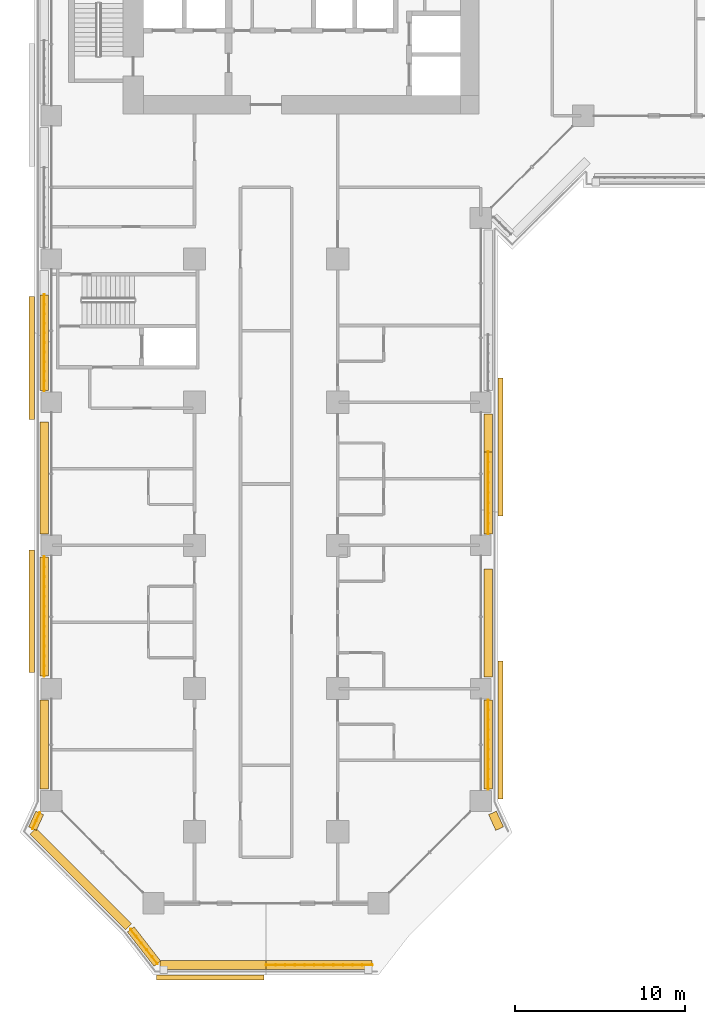
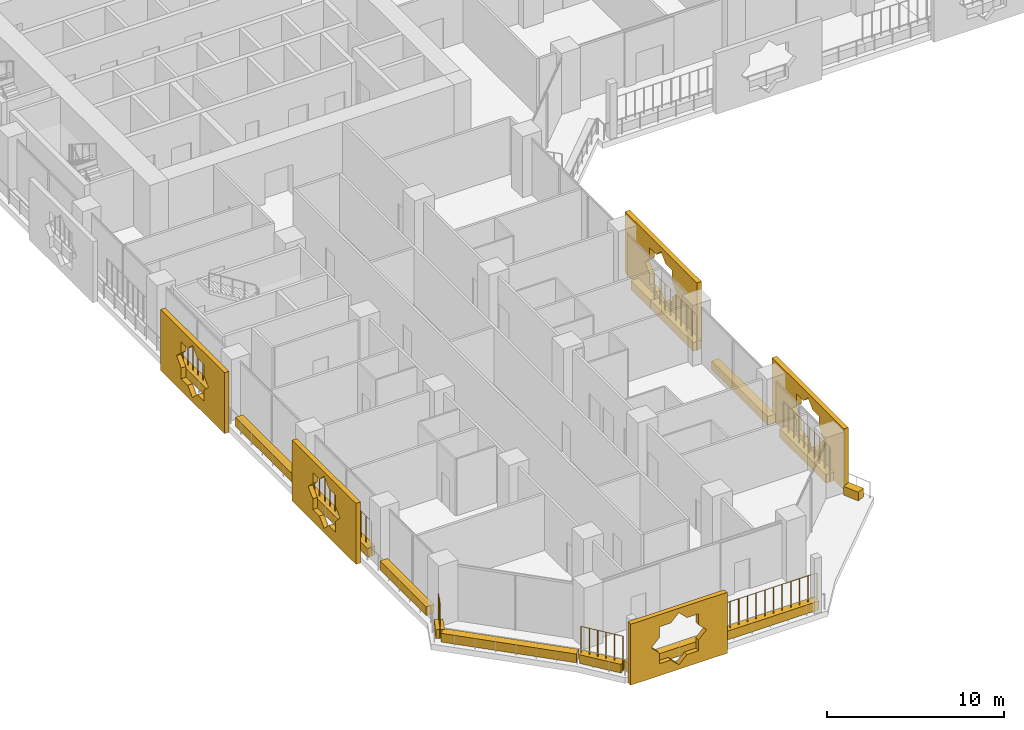
# One storey, part 20 of 27: 19 coverings, 7 railings.
"""IFC4 building model written with IfcOpenShell, lengths in metres."""

import ifcopenshell
import ifcopenshell.guid

model = None  # the IFC model being written
_history = None  # IfcOwnerHistory: only IFC2X3 demands one
_inside = {}  # id of a spatial element -> (the spatial element, [elements in it])
_under = {}  # id of a project, library or spatial element -> (it, [spatial elements below it])
_declared = {}  # id of a project -> (the project, [libraries it declares])
_typed = {}  # id of a type object -> (the type object, [elements of that type])
_made_of = {}  # id of a material, layer set ... -> (it, [elements and type objects made of it])


def new_model(schema):
    """Start an empty IFC model of exactly this schema.

    Asked for "IFC4X3", IfcOpenShell would pick the latest addendum, in which some entities
    have other attributes; the version numbers below select the first issue.
    IFC2X3 requires an IfcOwnerHistory on every rooted entity: one is made here for all.
    """
    global model, _history
    if schema == "IFC4X3":
        model = ifcopenshell.file(schema_version=(4, 3, 0, 0))
    else:
        model = ifcopenshell.file(schema=schema)
    _inside.clear()
    _under.clear()
    _declared.clear()
    _typed.clear()
    _made_of.clear()
    _history = None
    if model.schema == "IFC2X3":
        org = make("IfcOrganization", Name="unknown")
        user = make(
            "IfcPersonAndOrganization",
            ThePerson=make("IfcPerson", FamilyName="unknown"),
            TheOrganization=org,
        )
        app = make(
            "IfcApplication",
            ApplicationDeveloper=org,
            Version="unknown",
            ApplicationFullName="unknown",
            ApplicationIdentifier="unknown",
        )
        _history = make(
            "IfcOwnerHistory",
            OwningUser=user,
            OwningApplication=app,
            ChangeAction="ADDED",
            CreationDate=0,
        )
    return model


def make(cls, **values):
    """One entity of the class cls with the attributes given. An attribute that is None is left unset."""
    return model.create_entity(
        cls, **{name: value for name, value in values.items() if value is not None}
    )


def rooted(cls, **values):
    """An entity with a GlobalId (a new one), such as an element, a storey or a relation."""
    return make(cls, GlobalId=ifcopenshell.guid.new(), OwnerHistory=_history, **values)


def si_unit(unit_type, name, prefix=None):
    """IfcSIUnit, for example si_unit("LENGTHUNIT", "METRE", prefix="MILLI")."""
    return make("IfcSIUnit", UnitType=unit_type, Prefix=prefix, Name=name)


def assignment(units):
    """IfcUnitAssignment: the units of a project."""
    return None if units is None else make("IfcUnitAssignment", Units=units)


def point(xyz):
    """IfcCartesianPoint."""
    return None if xyz is None else make("IfcCartesianPoint", Coordinates=xyz)


def direction(xyz):
    """IfcDirection."""
    return None if xyz is None else make("IfcDirection", DirectionRatios=xyz)


def frame(location, z_axis=None, x_axis=None):
    """IfcAxis2Placement3D, a coordinate frame: its origin and axes. An axis left out is left unset."""
    return make(
        "IfcAxis2Placement3D",
        Location=point(location),
        Axis=direction(z_axis),
        RefDirection=direction(x_axis),
    )


def frame_2d(location, x_axis=None):
    """IfcAxis2Placement2D, a coordinate frame in the plane: its origin and x axis."""
    return make(
        "IfcAxis2Placement2D", Location=point(location), RefDirection=direction(x_axis)
    )


def origin():
    """The frame at (0, 0, 0) with its axes left unset."""
    return frame((0.0, 0.0, 0.0))


def origin_2d():
    """The frame at (0, 0) in the plane with its x axis left unset."""
    return frame_2d((0.0, 0.0))


def place(relative_to, where):
    """IfcLocalPlacement: puts the frame where relative to a parent placement (None: the world)."""
    return make(
        "IfcLocalPlacement", PlacementRelTo=relative_to, RelativePlacement=where
    )


def context(
    kind, dimensions, precision=None, world=None, true_north=None, identifier=None
):
    """IfcGeometricRepresentationContext, for example the 3D "Model" context."""
    return make(
        "IfcGeometricRepresentationContext",
        ContextIdentifier=identifier,
        ContextType=kind,
        CoordinateSpaceDimension=dimensions,
        Precision=precision,
        WorldCoordinateSystem=world,
        TrueNorth=true_north,
    )


def subcontext(parent, identifier, kind, view, scale=None):
    """IfcGeometricRepresentationSubContext, for example "Body" below "Model"."""
    return make(
        "IfcGeometricRepresentationSubContext",
        ContextIdentifier=identifier,
        ContextType=kind,
        ParentContext=parent,
        TargetScale=scale,
        TargetView=view,
    )


def project(units=None, contexts=None):
    """IfcProject with its units and contexts."""
    return rooted(
        "IfcProject",
        Name="project",
        RepresentationContexts=contexts,
        UnitsInContext=assignment(units),
    )


def spatial(cls, under=None, at=None, **own):
    """A site, building, storey or space (cls), placed at a placement, below another one or the project."""
    s = rooted(cls, ObjectPlacement=at, **own)
    if under is not None:
        _under.setdefault(under.id(), (under, []))[1].append(s)
    return s


def polyline(points):
    """IfcPolyline through the points."""
    return make("IfcPolyline", Points=[point(p) for p in points])


def profile(cls, at=None, kind="AREA", **sizes):
    """A parametric profile (cls). Its sizes go by their IFC names, for example OverallWidth=200.0."""
    return make(cls, ProfileType=kind, Position=at, **sizes)


def rectangle(**sizes):
    """IfcRectangleProfileDef."""
    return profile("IfcRectangleProfileDef", **sizes)


def circle(**sizes):
    """IfcCircleProfileDef."""
    return profile("IfcCircleProfileDef", **sizes)


def outline(outer, holes=None, kind="AREA"):
    """IfcArbitraryClosedProfileDef: a profile drawn as a closed curve; with holes, ...WithVoids."""
    if holes is None:
        return make("IfcArbitraryClosedProfileDef", ProfileType=kind, OuterCurve=outer)
    return make(
        "IfcArbitraryProfileDefWithVoids",
        ProfileType=kind,
        OuterCurve=outer,
        InnerCurves=holes,
    )


def extrude(swept, where, along, depth):
    """IfcExtrudedAreaSolid: the profile swept, set in the frame where, extruded along a direction by depth."""
    return make(
        "IfcExtrudedAreaSolid",
        SweptArea=swept,
        Position=where,
        ExtrudedDirection=direction(along),
        Depth=depth,
    )


def shape(context_of_items, identifier, shape_type, items):
    """IfcShapeRepresentation: the items that make up one representation, for example the "Body"."""
    return make(
        "IfcShapeRepresentation",
        ContextOfItems=context_of_items,
        RepresentationIdentifier=identifier,
        RepresentationType=shape_type,
        Items=items,
    )


def material(Name=None, Category=None):
    """IfcMaterial."""
    return make("IfcMaterial", Name=Name, Category=Category)


def material_profile(
    of_material, cross_section, Name=None, Category=None, Priority=None
):
    """IfcMaterialProfile: a cross section and its material."""
    return make(
        "IfcMaterialProfile",
        Name=Name,
        Material=of_material,
        Profile=cross_section,
        Priority=Priority,
        Category=Category,
    )


def profile_set(profiles, Name=None, composite=None):
    """IfcMaterialProfileSet."""
    return make(
        "IfcMaterialProfileSet",
        Name=Name,
        MaterialProfiles=profiles,
        CompositeProfile=composite,
    )


def made_of(thing, what):
    """Note that an element or type object is made of a material, layer set ...; save() writes the relation."""
    if what is not None:
        _made_of.setdefault(what.id(), (what, []))[1].append(thing)
    return thing


def type_object(cls, material=None, **own):
    """A type object (cls), such as IfcWallType, which elements share."""
    return made_of(rooted(cls, **own), material)


def element(
    cls,
    number,
    at=None,
    inside=None,
    cuts=None,
    type_object=None,
    material=None,
    context=None,
    identifier="Body",
    shape_type=None,
    held_by="IfcProductDefinitionShape",
    body=None,
    shapes=None,
    **own,
):
    """One element of the class cls, such as IfcWall. Its Tag is "e" and its number.

    at: its placement. inside: the storey or other place that contains it. cuts: it is an
    opening in that element (IfcRelVoidsElement). A single representation is given by context,
    identifier, shape_type and body (its items); several are given by shapes. held_by: the class
    of the entity that holds the representations. save() writes the other relations.
    """
    e = rooted(cls, Tag="e%d" % number, ObjectPlacement=at, **own)
    if body is not None:
        shapes = [shape(context, identifier, shape_type, body)]
    if shapes is not None:
        e.Representation = make(held_by, Representations=shapes)
    if inside is not None:
        _inside.setdefault(inside.id(), (inside, []))[1].append(e)
    if cuts is not None:
        rooted(
            "IfcRelVoidsElement", RelatingBuildingElement=cuts, RelatedOpeningElement=e
        )
    if type_object is not None:
        _typed.setdefault(type_object.id(), (type_object, []))[1].append(e)
    return made_of(e, material)


def aggregate(whole, parts):
    """IfcRelAggregates: a whole, such as a stair, and the parts it consists of."""
    return rooted("IfcRelAggregates", RelatingObject=whole, RelatedObjects=parts)


def save(model, path):
    """Write the relations noted so far, then the file.

    IfcRelAggregates (storeys below a building ...), IfcRelContainedInSpatialStructure (elements
    in a storey), IfcRelDefinesByType, IfcRelAssociatesMaterial and IfcRelDeclares: one each for
    every whole, place, type object, material and project.
    """
    for whole, parts in _under.values():
        aggregate(whole, parts)
    for where, things in _inside.values():
        rooted(
            "IfcRelContainedInSpatialStructure",
            RelatedElements=things,
            RelatingStructure=where,
        )
    for kind, things in _typed.values():
        rooted("IfcRelDefinesByType", RelatedObjects=things, RelatingType=kind)
    for what, things in _made_of.values():
        rooted("IfcRelAssociatesMaterial", RelatedObjects=things, RelatingMaterial=what)
    for by, libraries in _declared.values():
        rooted("IfcRelDeclares", RelatingContext=by, RelatedDefinitions=libraries)
    model.write(path)


model = new_model("IFC4")

# Units and contexts
model_context = context("Model", 3, precision=1e-05, world=origin(), true_north=direction((0.0, 1.0)))
body_context = subcontext(model_context, "Body", "Model", "MODEL_VIEW")
ifc_project = project(units=[si_unit("LENGTHUNIT", "METRE"), si_unit("AREAUNIT", "SQUARE_METRE"), si_unit("VOLUMEUNIT", "CUBIC_METRE"), si_unit("PLANEANGLEUNIT", "RADIAN"), si_unit("MASSUNIT", "GRAM", prefix="KILO")], contexts=[model_context])

# Site, building, storey
site_placement = place(None, origin())
site = spatial("IfcSite", under=ifc_project, at=site_placement, CompositionType="ELEMENT")
building_placement = place(site_placement, origin())
building = spatial("IfcBuilding", under=site, at=building_placement, Name="Kawkab Arch Medical Tower", CompositionType="ELEMENT")
storey_placement = place(building_placement, frame((0.0, 0.0, 85.39990234375)))
storey = spatial("IfcBuildingStorey", under=building, at=storey_placement, Name="L19", CompositionType="ELEMENT", Elevation=85.39990234375)

# Coverings
ifc_material_1 = material(Name="Bronze anodised aluminium mashrabiya panel, eight-point star pattern", Category="aluminium")
ifc_material_profile_1 = material_profile(ifc_material_1, outline(polyline([(-3.14990234375, -2.10009765625), (3.14990234375, -2.10009765625), (3.14990234375, 2.10009765625), (-3.14990234375, 2.10009765625), (-3.14990234375, -2.10009765625)]), holes=[polyline([(1.800048828125, 0.0), (1.272705078125, 0.527099609375), (1.272705078125, 1.272705078125), (0.527099609375, 1.272705078125), (0.0, 1.800048828125), (-0.527099609375, 1.272705078125), (-1.272705078125, 1.272705078125), (-1.272705078125, 0.527099609375), (-1.800048828125, 0.0), (-1.272705078125, -0.527099609375), (-1.272705078125, -1.272705078125), (-0.527099609375, -1.272705078125), (0.0, -1.800048828125), (0.527099609375, -1.272705078125), (1.272705078125, -1.272705078125), (1.272705078125, -0.527099609375), (1.800048828125, 0.0)])]), Name="Mashrabiya panel 6300x4200")
ifc_profile_set_1 = profile_set([ifc_material_profile_1], Name="Bronze anodised aluminium mashrabiya panel, eight-point star pattern")
covering_type_1 = type_object("IfcCoveringType", Name="Mashrabiya panel 6300 x 4200", PredefinedType="USERDEFINED", material=ifc_profile_set_1)
covering_1_placement = place(storey_placement, frame((9.322509765625, -75.60009765625, 1.7001953125), z_axis=(0.0, -1.0, 0.0), x_axis=(1.0, 0.0, 0.0)))
element("IfcCovering", 1, at=covering_1_placement, inside=storey, type_object=covering_type_1, Name="Mashrabiya panel L19.LOG-01-01.1", ObjectType="SCREEN", PredefinedType="USERDEFINED", context=body_context, shape_type="SweptSolid", body=[
    extrude(outline(polyline([(-3.14990234375, -2.10009765625), (3.14990234375, -2.10009765625), (3.14990234375, 2.10009765625), (-3.14990234375, 2.10009765625), (-3.14990234375, -2.10009765625)]), holes=[polyline([(1.800048828125, 0.0), (1.272705078125, 0.527099609375), (1.272705078125, 1.272705078125), (0.527099609375, 1.272705078125), (0.0, 1.800048828125), (-0.527099609375, 1.272705078125), (-1.272705078125, 1.272705078125), (-1.272705078125, 0.527099609375), (-1.800048828125, 0.0), (-1.272705078125, -0.527099609375), (-1.272705078125, -1.272705078125), (-0.527099609375, -1.272705078125), (0.0, -1.800048828125), (0.527099609375, -1.272705078125), (1.272705078125, -1.272705078125), (1.272705078125, -0.527099609375), (1.800048828125, 0.0)])]), origin(), (0.0, 0.0, 1.0), 0.2998046875),
])
ifc_material_2 = material(Name="Bronze anodised aluminium mashrabiya panel, eight-point star pattern", Category="aluminium")
ifc_material_profile_2 = material_profile(ifc_material_2, outline(polyline([(-3.60009765625, -2.10009765625), (3.60009765625, -2.10009765625), (3.60009765625, 2.10009765625), (-3.60009765625, 2.10009765625), (-3.60009765625, -2.10009765625)]), holes=[polyline([(1.800048828125, 0.0), (1.272705078125, 0.527099609375), (1.272705078125, 1.272705078125), (0.527099609375, 1.272705078125), (0.0, 1.800048828125), (-0.527099609375, 1.272705078125), (-1.272705078125, 1.272705078125), (-1.272705078125, 0.527099609375), (-1.800048828125, 0.0), (-1.272705078125, -0.527099609375), (-1.272705078125, -1.272705078125), (-0.527099609375, -1.272705078125), (0.0, -1.800048828125), (0.527099609375, -1.272705078125), (1.272705078125, -1.272705078125), (1.272705078125, -0.527099609375), (1.800048828125, 0.0)])]), Name="Mashrabiya panel 7200x4200")
ifc_profile_set_2 = profile_set([ifc_material_profile_2], Name="Bronze anodised aluminium mashrabiya panel, eight-point star pattern")
covering_type_2 = type_object("IfcCoveringType", Name="Mashrabiya panel 7200 x 4200", PredefinedType="USERDEFINED", material=ifc_profile_set_2)
for number, where, z_axis, x_axis, name in (
    (2, (-1.0, -54.263916015625, 1.7001953125), (-1.0, 0.0, 0.0), (0.0, -1.0, 0.0), "Mashrabiya panel L19.LOG-01-01.2"),
    (3, (-1.0, -39.412841796875, 1.7001953125), (-1.0, 0.0, 0.0), (0.0, -1.0, 0.0), "Mashrabiya panel L19.LOG-01-01.3"),
):
    element("IfcCovering", number, at=place(storey_placement, frame(where, z_axis=z_axis, x_axis=x_axis)), inside=storey, type_object=covering_type_2, Name=name, ObjectType="SCREEN", PredefinedType="USERDEFINED", context=body_context, shape_type="SweptSolid", body=[
        extrude(outline(polyline([(-3.60009765625, -2.10009765625), (3.60009765625, -2.10009765625), (3.60009765625, 2.10009765625), (-3.60009765625, 2.10009765625), (-3.60009765625, -2.10009765625)]), holes=[polyline([(1.800048828125, 0.0), (1.272705078125, 0.527099609375), (1.272705078125, 1.272705078125), (0.527099609375, 1.272705078125), (0.0, 1.800048828125), (-0.527099609375, 1.272705078125), (-1.272705078125, 1.272705078125), (-1.272705078125, 0.527099609375), (-1.800048828125, 0.0), (-1.272705078125, -0.527099609375), (-1.272705078125, -1.272705078125), (-0.527099609375, -1.272705078125), (0.0, -1.800048828125), (0.527099609375, -1.272705078125), (1.272705078125, -1.272705078125), (1.272705078125, -0.527099609375), (1.800048828125, 0.0)])]), origin(), (0.0, 0.0, 1.0), 0.300048828125),
    ])
ifc_material_3 = material(Name="Bronze anodised aluminium mashrabiya panel, eight-point star pattern", Category="aluminium")
ifc_material_profile_3 = material_profile(ifc_material_3, outline(polyline([(-4.050048828125, -2.10009765625), (4.050048828125, -2.10009765625), (4.050048828125, 2.10009765625), (-4.050048828125, 2.10009765625), (-4.050048828125, -2.10009765625)]), holes=[polyline([(1.800048828125, 0.0), (1.272705078125, 0.527099609375), (1.272705078125, 1.272705078125), (0.527099609375, 1.272705078125), (0.0, 1.800048828125), (-0.527099609375, 1.272705078125), (-1.272705078125, 1.272705078125), (-1.272705078125, 0.527099609375), (-1.800048828125, 0.0), (-1.272705078125, -0.527099609375), (-1.272705078125, -1.272705078125), (-0.527099609375, -1.272705078125), (0.0, -1.800048828125), (0.527099609375, -1.272705078125), (1.272705078125, -1.272705078125), (1.272705078125, -0.527099609375), (1.800048828125, 0.0)])]), Name="Mashrabiya panel 8100x4200")
ifc_profile_set_3 = profile_set([ifc_material_profile_3], Name="Bronze anodised aluminium mashrabiya panel, eight-point star pattern")
covering_type_3 = type_object("IfcCoveringType", Name="Mashrabiya panel 8100 x 4200", PredefinedType="USERDEFINED", material=ifc_profile_set_3)
for number, where, z_axis, x_axis, name in (
    (4, (26.199951171875, -44.639892578125, 1.7001953125), (1.0, 0.0, 0.0), (0.0, 1.0, 0.0), "Mashrabiya panel L19.LOG-01-01.14"),
    (5, (26.199951171875, -61.229736328125, 1.7001953125), (1.0, 0.0, 0.0), (0.0, 1.0, 0.0), "Mashrabiya panel L19.LOG-01-01.15"),
):
    element("IfcCovering", number, at=place(storey_placement, frame(where, z_axis=z_axis, x_axis=x_axis)), inside=storey, type_object=covering_type_3, Name=name, ObjectType="SCREEN", PredefinedType="USERDEFINED", context=body_context, shape_type="SweptSolid", body=[
        extrude(outline(polyline([(-4.050048828125, -2.10009765625), (4.050048828125, -2.10009765625), (4.050048828125, 2.10009765625), (-4.050048828125, 2.10009765625), (-4.050048828125, -2.10009765625)]), holes=[polyline([(1.800048828125, 0.0), (1.272705078125, 0.527099609375), (1.272705078125, 1.272705078125), (0.527099609375, 1.272705078125), (0.0, 1.800048828125), (-0.527099609375, 1.272705078125), (-1.272705078125, 1.272705078125), (-1.272705078125, 0.527099609375), (-1.800048828125, 0.0), (-1.272705078125, -0.527099609375), (-1.272705078125, -1.272705078125), (-0.527099609375, -1.272705078125), (0.0, -1.800048828125), (0.527099609375, -1.272705078125), (1.272705078125, -1.272705078125), (1.272705078125, -0.527099609375), (1.800048828125, 0.0)])]), origin(), (0.0, 0.0, 1.0), 0.300048828125),
    ])
ifc_material_4 = material(Name="Planting soil in a precast trough", Category="concrete")
ifc_material_profile_4 = material_profile(ifc_material_4, rectangle(XDim=0.5, YDim=0.60009765625, at=origin_2d()), Name="Trough 500x600")
ifc_profile_set_4 = profile_set([ifc_material_profile_4], Name="Planting soil in a precast trough")
covering_type_4 = type_object("IfcCoveringType", Name="Planter trough 500 x 600", PredefinedType="USERDEFINED", material=ifc_profile_set_4)
covering_2_placement = place(storey_placement, frame((18.81591796875, -75.02001953125, 0.300048828125), z_axis=(-1.0, 0.0, 0.0), x_axis=(0.0, -1.0, 0.0)))
element("IfcCovering", 6, at=covering_2_placement, inside=storey, type_object=covering_type_4, Name="Planter L19.LOG-01-01.1", ObjectType="PLANTER", PredefinedType="USERDEFINED", context=body_context, shape_type="SweptSolid", body=[
    extrude(rectangle(XDim=0.5, YDim=0.60009765625, at=origin_2d()), origin(), (0.0, 0.0, 1.0), 6.2158203125),
])
covering_3_placement = place(storey_placement, frame((12.60009765625, -75.02001953125, 0.300048828125), z_axis=(-1.0, 0.0, 0.0), x_axis=(0.0, -1.0, 0.0)))
element("IfcCovering", 7, at=covering_3_placement, inside=storey, type_object=covering_type_4, Name="Planter L19.LOG-01-01.2", ObjectType="PLANTER", PredefinedType="USERDEFINED", context=body_context, shape_type="SweptSolid", body=[
    extrude(rectangle(XDim=0.5, YDim=0.60009765625, at=origin_2d()), origin(), (0.0, 0.0, 1.0), 6.216064453125),
])
covering_4_placement = place(storey_placement, frame((6.221923828125, -74.94091796875, 0.300048828125), z_axis=(-0.61404021143, 0.789274742246, 0.0), x_axis=(-0.789274742246, -0.61404021143, 0.0)))
element("IfcCovering", 8, at=covering_4_placement, inside=storey, type_object=covering_type_4, Name="Planter L19.LOG-01-01.3", ObjectType="PLANTER", PredefinedType="USERDEFINED", context=body_context, shape_type="SweptSolid", body=[
    extrude(rectangle(XDim=0.5, YDim=0.60009765625, at=origin_2d()), origin(), (0.0, 0.0, 1.0), 2.54541015625),
])
covering_5_placement = place(storey_placement, frame((4.527099609375, -72.782958984375, 0.300048828125), z_axis=(-0.70712219479, 0.707091367247, 0.0), x_axis=(-0.707091367247, -0.70712219479, 0.0)))
element("IfcCovering", 9, at=covering_5_placement, inside=storey, type_object=covering_type_4, Name="Planter L19.LOG-01-01.4", ObjectType="PLANTER", PredefinedType="USERDEFINED", context=body_context, shape_type="SweptSolid", body=[
    extrude(rectangle(XDim=0.5, YDim=0.60009765625, at=origin_2d()), origin(), (0.0, 0.0, 1.0), 7.919677734375),
])
covering_6_placement = place(storey_placement, frame((-1.10205078125, -67.02099609375, 0.300048828125), z_axis=(0.415071571878, 0.909788761317, 0.0), x_axis=(-0.909788761317, 0.415071571878, 0.0)))
element("IfcCovering", 10, at=covering_6_placement, inside=storey, type_object=covering_type_4, Name="Planter L19.LOG-01-01.5", ObjectType="PLANTER", PredefinedType="USERDEFINED", context=body_context, shape_type="SweptSolid", body=[
    extrude(rectangle(XDim=0.5, YDim=0.60009765625, at=origin_2d()), origin(), (0.0, 0.0, 1.0), 1.0146484375),
])
covering_7_placement = place(storey_placement, frame((-0.419921875, -64.695068359375, 0.300048828125), z_axis=(0.0, 1.0, 0.0), x_axis=(-1.0, 0.0, 0.0)))
element("IfcCovering", 11, at=covering_7_placement, inside=storey, type_object=covering_type_4, Name="Planter L19.LOG-01-01.6", ObjectType="PLANTER", PredefinedType="USERDEFINED", context=body_context, shape_type="SweptSolid", body=[
    extrude(rectangle(XDim=0.5, YDim=0.60009765625, at=origin_2d()), origin(), (0.0, 0.0, 1.0), 5.215087890625),
])
covering_8_placement = place(storey_placement, frame((-0.419921875, -58.069091796875, 0.300048828125), z_axis=(0.0, 1.0, 0.0), x_axis=(-1.0, 0.0, 0.0)))
element("IfcCovering", 12, at=covering_8_placement, inside=storey, type_object=covering_type_4, Name="Planter L19.LOG-01-01.7", ObjectType="PLANTER", PredefinedType="USERDEFINED", context=body_context, shape_type="SweptSolid", body=[
    extrude(rectangle(XDim=0.5, YDim=0.60009765625, at=origin_2d()), origin(), (0.0, 0.0, 1.0), 6.989013671875),
])
covering_9_placement = place(storey_placement, frame((-0.419921875, -49.719970703125, 0.300048828125), z_axis=(0.0, 1.0, 0.0), x_axis=(-1.0, 0.0, 0.0)))
element("IfcCovering", 13, at=covering_9_placement, inside=storey, type_object=covering_type_4, Name="Planter L19.LOG-01-01.8", ObjectType="PLANTER", PredefinedType="USERDEFINED", context=body_context, shape_type="SweptSolid", body=[
    extrude(rectangle(XDim=0.5, YDim=0.60009765625, at=origin_2d()), origin(), (0.0, 0.0, 1.0), 6.56396484375),
])
covering_10_placement = place(storey_placement, frame((-0.419921875, -41.320068359375, 0.300048828125), z_axis=(0.0, 1.0, 0.0), x_axis=(-1.0, 0.0, 0.0)))
element("IfcCovering", 14, at=covering_10_placement, inside=storey, type_object=covering_type_4, Name="Planter L19.LOG-01-01.9", ObjectType="PLANTER", PredefinedType="USERDEFINED", context=body_context, shape_type="SweptSolid", body=[
    extrude(rectangle(XDim=0.5, YDim=0.60009765625, at=origin_2d()), origin(), (0.0, 0.0, 1.0), 5.6201171875),
])
covering_11_placement = place(storey_placement, frame((25.6201171875, -42.679931640625, 0.300048828125), z_axis=(0.0, -1.0, 0.0), x_axis=(1.0, 0.0, 0.0)))
element("IfcCovering", 15, at=covering_11_placement, inside=storey, type_object=covering_type_4, Name="Planter L19.LOG-01-01.46", ObjectType="PLANTER", PredefinedType="USERDEFINED", context=body_context, shape_type="SweptSolid", body=[
    extrude(rectangle(XDim=0.5, YDim=0.60009765625, at=origin_2d()), origin(), (0.0, 0.0, 1.0), 2.240966796875),
])
covering_12_placement = place(storey_placement, frame((25.6201171875, -44.9208984375, 0.300048828125), z_axis=(0.0, -1.0, 0.0), x_axis=(1.0, 0.0, 0.0)))
element("IfcCovering", 16, at=covering_12_placement, inside=storey, type_object=covering_type_4, Name="Planter L19.LOG-01-01.47", ObjectType="PLANTER", PredefinedType="USERDEFINED", context=body_context, shape_type="SweptSolid", body=[
    extrude(rectangle(XDim=0.5, YDim=0.60009765625, at=origin_2d()), origin(), (0.0, 0.0, 1.0), 4.799072265625),
])
covering_13_placement = place(storey_placement, frame((25.6201171875, -51.7890625, 0.300048828125), z_axis=(0.0, -1.0, 0.0), x_axis=(1.0, 0.0, 0.0)))
element("IfcCovering", 17, at=covering_13_placement, inside=storey, type_object=covering_type_4, Name="Planter L19.LOG-01-01.48", ObjectType="PLANTER", PredefinedType="USERDEFINED", context=body_context, shape_type="SweptSolid", body=[
    extrude(rectangle(XDim=0.5, YDim=0.60009765625, at=origin_2d()), origin(), (0.0, 0.0, 1.0), 6.3310546875),
])
covering_14_placement = place(storey_placement, frame((25.6201171875, -59.47998046875, 0.300048828125), z_axis=(0.0, -1.0, 0.0), x_axis=(1.0, 0.0, 0.0)))
element("IfcCovering", 18, at=covering_14_placement, inside=storey, type_object=covering_type_4, Name="Planter L19.LOG-01-01.49", ObjectType="PLANTER", PredefinedType="USERDEFINED", context=body_context, shape_type="SweptSolid", body=[
    extrude(rectangle(XDim=0.5, YDim=0.60009765625, at=origin_2d()), origin(), (0.0, 0.0, 1.0), 5.215087890625),
])
covering_15_placement = place(storey_placement, frame((25.881103515625, -66.097900390625, 0.300048828125), z_axis=(0.414872376122, -0.909879613757, 0.0), x_axis=(0.909879613757, 0.414872376122, 0.0)))
element("IfcCovering", 19, at=covering_15_placement, inside=storey, type_object=covering_type_4, Name="Planter L19.LOG-01-01.50", ObjectType="PLANTER", PredefinedType="USERDEFINED", context=body_context, shape_type="SweptSolid", body=[
    extrude(rectangle(XDim=0.5, YDim=0.60009765625, at=origin_2d()), origin(), (0.0, 0.0, 1.0), 1.014404296875),
])

# Railings
ifc_material_5 = material(Name="Bronze anodised aluminium trellis for climbing plants", Category="aluminium")
railing_type = type_object("IfcRailingType", Name="Planting trellis 2400", PredefinedType="USERDEFINED", material=ifc_material_5)
railing_1_placement = place(storey_placement, frame((18.81591796875, -75.02001953125, 0.0)))
element("IfcRailing", 20, at=railing_1_placement, inside=storey, type_object=railing_type, Name="Planting trellis L19.LOG-01-01.1", ObjectType="TRELLIS", PredefinedType="USERDEFINED", context=body_context, shape_type="SweptSolid", body=[
    extrude(circle(Radius=0.01513671875, at=origin_2d()), frame((0.0, 0.0, 2.384765625), z_axis=(-1.0, 0.0, 0.0), x_axis=(0.0, -1.0, 0.0)), (0.0, 0.0, 1.0), 6.2158203125),
    extrude(circle(Radius=0.030029296875, at=origin_2d()), origin(), (0.0, 0.0, 1.0), 2.369873046875),
    extrude(circle(Radius=0.030029296875, at=origin_2d()), frame((-0.565185546875, 0.0, 0.0)), (0.0, 0.0, 1.0), 2.369873046875),
    extrude(circle(Radius=0.030029296875, at=origin_2d()), frame((-1.130126953125, 0.0, 0.0)), (0.0, 0.0, 1.0), 2.369873046875),
    extrude(circle(Radius=0.030029296875, at=origin_2d()), frame((-1.6953125, 0.0, 0.0)), (0.0, 0.0, 1.0), 2.369873046875),
    extrude(circle(Radius=0.030029296875, at=origin_2d()), frame((-2.26025390625, 0.0, 0.0)), (0.0, 0.0, 1.0), 2.369873046875),
    extrude(circle(Radius=0.030029296875, at=origin_2d()), frame((-2.825439453125, 0.0, 0.0)), (0.0, 0.0, 1.0), 2.369873046875),
    extrude(circle(Radius=0.030029296875, at=origin_2d()), frame((-3.390380859375, 0.0, 0.0)), (0.0, 0.0, 1.0), 2.369873046875),
    extrude(circle(Radius=0.030029296875, at=origin_2d()), frame((-3.95556640625, 0.0, 0.0)), (0.0, 0.0, 1.0), 2.369873046875),
    extrude(circle(Radius=0.030029296875, at=origin_2d()), frame((-4.5205078125, 0.0, 0.0)), (0.0, 0.0, 1.0), 2.369873046875),
    extrude(circle(Radius=0.030029296875, at=origin_2d()), frame((-5.085693359375, 0.0, 0.0)), (0.0, 0.0, 1.0), 2.369873046875),
    extrude(circle(Radius=0.030029296875, at=origin_2d()), frame((-5.650634765625, 0.0, 0.0)), (0.0, 0.0, 1.0), 2.369873046875),
    extrude(circle(Radius=0.030029296875, at=origin_2d()), frame((-6.2158203125, 0.0, 0.0)), (0.0, 0.0, 1.0), 2.369873046875),
])
railing_2_placement = place(storey_placement, frame((6.221923828125, -74.94091796875, 0.0)))
element("IfcRailing", 21, at=railing_2_placement, inside=storey, type_object=railing_type, Name="Planting trellis L19.LOG-01-01.3", ObjectType="TRELLIS", PredefinedType="USERDEFINED", context=body_context, shape_type="SweptSolid", body=[
    extrude(circle(Radius=0.01513671875, at=origin_2d()), frame((0.0, 0.0, 2.384765625), z_axis=(-0.61404021143, 0.789274742246, 0.0), x_axis=(-0.789274742246, -0.61404021143, 0.0)), (0.0, 0.0, 1.0), 2.54541015625),
    extrude(circle(Radius=0.030029296875, at=origin_2d()), origin(), (0.0, 0.0, 1.0), 2.369873046875),
    extrude(circle(Radius=0.030029296875, at=origin_2d()), frame((-0.3125, 0.40185546875, 0.0)), (0.0, 0.0, 1.0), 2.369873046875),
    extrude(circle(Radius=0.030029296875, at=origin_2d()), frame((-0.625244140625, 0.8037109375, 0.0)), (0.0, 0.0, 1.0), 2.369873046875),
    extrude(circle(Radius=0.030029296875, at=origin_2d()), frame((-0.937744140625, 1.205322265625, 0.0)), (0.0, 0.0, 1.0), 2.369873046875),
    extrude(circle(Radius=0.030029296875, at=origin_2d()), frame((-1.25048828125, 1.607177734375, 0.0)), (0.0, 0.0, 1.0), 2.369873046875),
    extrude(circle(Radius=0.030029296875, at=origin_2d()), frame((-1.56298828125, 2.009033203125, 0.0)), (0.0, 0.0, 1.0), 2.369873046875),
])
railing_3_placement = place(storey_placement, frame((-1.10205078125, -67.02099609375, 0.0)))
element("IfcRailing", 22, at=railing_3_placement, inside=storey, type_object=railing_type, Name="Planting trellis L19.LOG-01-01.5", ObjectType="TRELLIS", PredefinedType="USERDEFINED", context=body_context, shape_type="SweptSolid", body=[
    extrude(circle(Radius=0.01513671875, at=origin_2d()), frame((0.0, 0.0, 2.384765625), z_axis=(0.415071571878, 0.909788761317, 0.0), x_axis=(-0.909788761317, 0.415071571878, 0.0)), (0.0, 0.0, 1.0), 1.0146484375),
    extrude(circle(Radius=0.030029296875, at=origin_2d()), origin(), (0.0, 0.0, 1.0), 2.369873046875),
    extrude(circle(Radius=0.030029296875, at=origin_2d()), frame((0.21044921875, 0.46142578125, 0.0)), (0.0, 0.0, 1.0), 2.369873046875),
    extrude(circle(Radius=0.030029296875, at=origin_2d()), frame((0.421142578125, 0.923095703125, 0.0)), (0.0, 0.0, 1.0), 2.369873046875),
])
railing_4_placement = place(storey_placement, frame((-0.419921875, -58.069091796875, 0.0)))
element("IfcRailing", 23, at=railing_4_placement, inside=storey, type_object=railing_type, Name="Planting trellis L19.LOG-01-01.7", ObjectType="TRELLIS", PredefinedType="USERDEFINED", context=body_context, shape_type="SweptSolid", body=[
    extrude(circle(Radius=0.01513671875, at=origin_2d()), frame((0.0, 0.0, 2.384765625), z_axis=(0.0, 1.0, 0.0), x_axis=(-1.0, 0.0, 0.0)), (0.0, 0.0, 1.0), 6.989013671875),
    extrude(circle(Radius=0.030029296875, at=origin_2d()), origin(), (0.0, 0.0, 1.0), 2.369873046875),
    extrude(circle(Radius=0.030029296875, at=origin_2d()), frame((0.0, 0.58251953125, 0.0)), (0.0, 0.0, 1.0), 2.369873046875),
    extrude(circle(Radius=0.030029296875, at=origin_2d()), frame((0.0, 1.164794921875, 0.0)), (0.0, 0.0, 1.0), 2.369873046875),
    extrude(circle(Radius=0.030029296875, at=origin_2d()), frame((0.0, 1.747314453125, 0.0)), (0.0, 0.0, 1.0), 2.369873046875),
    extrude(circle(Radius=0.030029296875, at=origin_2d()), frame((0.0, 2.32958984375, 0.0)), (0.0, 0.0, 1.0), 2.369873046875),
    extrude(circle(Radius=0.030029296875, at=origin_2d()), frame((0.0, 2.912109375, 0.0)), (0.0, 0.0, 1.0), 2.369873046875),
    extrude(circle(Radius=0.030029296875, at=origin_2d()), frame((0.0, 3.49462890625, 0.0)), (0.0, 0.0, 1.0), 2.369873046875),
    extrude(circle(Radius=0.030029296875, at=origin_2d()), frame((0.0, 4.076904296875, 0.0)), (0.0, 0.0, 1.0), 2.369873046875),
    extrude(circle(Radius=0.030029296875, at=origin_2d()), frame((0.0, 4.659423828125, 0.0)), (0.0, 0.0, 1.0), 2.369873046875),
    extrude(circle(Radius=0.030029296875, at=origin_2d()), frame((0.0, 5.24169921875, 0.0)), (0.0, 0.0, 1.0), 2.369873046875),
    extrude(circle(Radius=0.030029296875, at=origin_2d()), frame((0.0, 5.82421875, 0.0)), (0.0, 0.0, 1.0), 2.369873046875),
    extrude(circle(Radius=0.030029296875, at=origin_2d()), frame((0.0, 6.406494140625, 0.0)), (0.0, 0.0, 1.0), 2.369873046875),
    extrude(circle(Radius=0.030029296875, at=origin_2d()), frame((0.0, 6.989013671875, 0.0)), (0.0, 0.0, 1.0), 2.369873046875),
])
railing_5_placement = place(storey_placement, frame((-0.419921875, -41.320068359375, 0.0)))
element("IfcRailing", 24, at=railing_5_placement, inside=storey, type_object=railing_type, Name="Planting trellis L19.LOG-01-01.9", ObjectType="TRELLIS", PredefinedType="USERDEFINED", context=body_context, shape_type="SweptSolid", body=[
    extrude(circle(Radius=0.01513671875, at=origin_2d()), frame((0.0, 0.0, 2.384765625), z_axis=(0.0, 1.0, 0.0), x_axis=(-1.0, 0.0, 0.0)), (0.0, 0.0, 1.0), 5.6201171875),
    extrude(circle(Radius=0.030029296875, at=origin_2d()), origin(), (0.0, 0.0, 1.0), 2.369873046875),
    extrude(circle(Radius=0.030029296875, at=origin_2d()), frame((0.0, 0.56201171875, 0.0)), (0.0, 0.0, 1.0), 2.369873046875),
    extrude(circle(Radius=0.030029296875, at=origin_2d()), frame((0.0, 1.1240234375, 0.0)), (0.0, 0.0, 1.0), 2.369873046875),
    extrude(circle(Radius=0.030029296875, at=origin_2d()), frame((0.0, 1.68603515625, 0.0)), (0.0, 0.0, 1.0), 2.369873046875),
    extrude(circle(Radius=0.030029296875, at=origin_2d()), frame((0.0, 2.248046875, 0.0)), (0.0, 0.0, 1.0), 2.369873046875),
    extrude(circle(Radius=0.030029296875, at=origin_2d()), frame((0.0, 2.81005859375, 0.0)), (0.0, 0.0, 1.0), 2.369873046875),
    extrude(circle(Radius=0.030029296875, at=origin_2d()), frame((0.0, 3.3720703125, 0.0)), (0.0, 0.0, 1.0), 2.369873046875),
    extrude(circle(Radius=0.030029296875, at=origin_2d()), frame((0.0, 3.93408203125, 0.0)), (0.0, 0.0, 1.0), 2.369873046875),
    extrude(circle(Radius=0.030029296875, at=origin_2d()), frame((0.0, 4.49609375, 0.0)), (0.0, 0.0, 1.0), 2.369873046875),
    extrude(circle(Radius=0.030029296875, at=origin_2d()), frame((0.0, 5.05810546875, 0.0)), (0.0, 0.0, 1.0), 2.369873046875),
    extrude(circle(Radius=0.030029296875, at=origin_2d()), frame((0.0, 5.6201171875, 0.0)), (0.0, 0.0, 1.0), 2.369873046875),
])
railing_6_placement = place(storey_placement, frame((25.6201171875, -44.9208984375, 0.0)))
element("IfcRailing", 25, at=railing_6_placement, inside=storey, type_object=railing_type, Name="Planting trellis L19.LOG-01-01.47", ObjectType="TRELLIS", PredefinedType="USERDEFINED", context=body_context, shape_type="SweptSolid", body=[
    extrude(circle(Radius=0.01513671875, at=origin_2d()), frame((0.0, 0.0, 2.384765625), z_axis=(0.0, -1.0, 0.0), x_axis=(1.0, 0.0, 0.0)), (0.0, 0.0, 1.0), 4.799072265625),
    extrude(circle(Radius=0.030029296875, at=origin_2d()), origin(), (0.0, 0.0, 1.0), 2.369873046875),
    extrude(circle(Radius=0.030029296875, at=origin_2d()), frame((0.0, -0.599853515625, 0.0)), (0.0, 0.0, 1.0), 2.369873046875),
    extrude(circle(Radius=0.030029296875, at=origin_2d()), frame((0.0, -1.19970703125, 0.0)), (0.0, 0.0, 1.0), 2.369873046875),
    extrude(circle(Radius=0.030029296875, at=origin_2d()), frame((0.0, -1.799560546875, 0.0)), (0.0, 0.0, 1.0), 2.369873046875),
    extrude(circle(Radius=0.030029296875, at=origin_2d()), frame((0.0, -2.3994140625, 0.0)), (0.0, 0.0, 1.0), 2.369873046875),
    extrude(circle(Radius=0.030029296875, at=origin_2d()), frame((0.0, -2.99951171875, 0.0)), (0.0, 0.0, 1.0), 2.369873046875),
    extrude(circle(Radius=0.030029296875, at=origin_2d()), frame((0.0, -3.599365234375, 0.0)), (0.0, 0.0, 1.0), 2.369873046875),
    extrude(circle(Radius=0.030029296875, at=origin_2d()), frame((0.0, -4.19921875, 0.0)), (0.0, 0.0, 1.0), 2.369873046875),
    extrude(circle(Radius=0.030029296875, at=origin_2d()), frame((0.0, -4.799072265625, 0.0)), (0.0, 0.0, 1.0), 2.369873046875),
])
railing_7_placement = place(storey_placement, frame((25.6201171875, -59.47998046875, 0.0)))
element("IfcRailing", 26, at=railing_7_placement, inside=storey, type_object=railing_type, Name="Planting trellis L19.LOG-01-01.49", ObjectType="TRELLIS", PredefinedType="USERDEFINED", context=body_context, shape_type="SweptSolid", body=[
    extrude(circle(Radius=0.01513671875, at=origin_2d()), frame((0.0, 0.0, 2.384765625), z_axis=(0.0, -1.0, 0.0), x_axis=(1.0, 0.0, 0.0)), (0.0, 0.0, 1.0), 5.215087890625),
    extrude(circle(Radius=0.030029296875, at=origin_2d()), origin(), (0.0, 0.0, 1.0), 2.369873046875),
    extrude(circle(Radius=0.030029296875, at=origin_2d()), frame((0.0, -0.579345703125, 0.0)), (0.0, 0.0, 1.0), 2.369873046875),
    extrude(circle(Radius=0.030029296875, at=origin_2d()), frame((0.0, -1.158935546875, 0.0)), (0.0, 0.0, 1.0), 2.369873046875),
    extrude(circle(Radius=0.030029296875, at=origin_2d()), frame((0.0, -1.73828125, 0.0)), (0.0, 0.0, 1.0), 2.369873046875),
    extrude(circle(Radius=0.030029296875, at=origin_2d()), frame((0.0, -2.31787109375, 0.0)), (0.0, 0.0, 1.0), 2.369873046875),
    extrude(circle(Radius=0.030029296875, at=origin_2d()), frame((0.0, -2.897216796875, 0.0)), (0.0, 0.0, 1.0), 2.369873046875),
    extrude(circle(Radius=0.030029296875, at=origin_2d()), frame((0.0, -3.476806640625, 0.0)), (0.0, 0.0, 1.0), 2.369873046875),
    extrude(circle(Radius=0.030029296875, at=origin_2d()), frame((0.0, -4.05615234375, 0.0)), (0.0, 0.0, 1.0), 2.369873046875),
    extrude(circle(Radius=0.030029296875, at=origin_2d()), frame((0.0, -4.6357421875, 0.0)), (0.0, 0.0, 1.0), 2.369873046875),
    extrude(circle(Radius=0.030029296875, at=origin_2d()), frame((0.0, -5.215087890625, 0.0)), (0.0, 0.0, 1.0), 2.369873046875),
])

save(model, "model.ifc")
